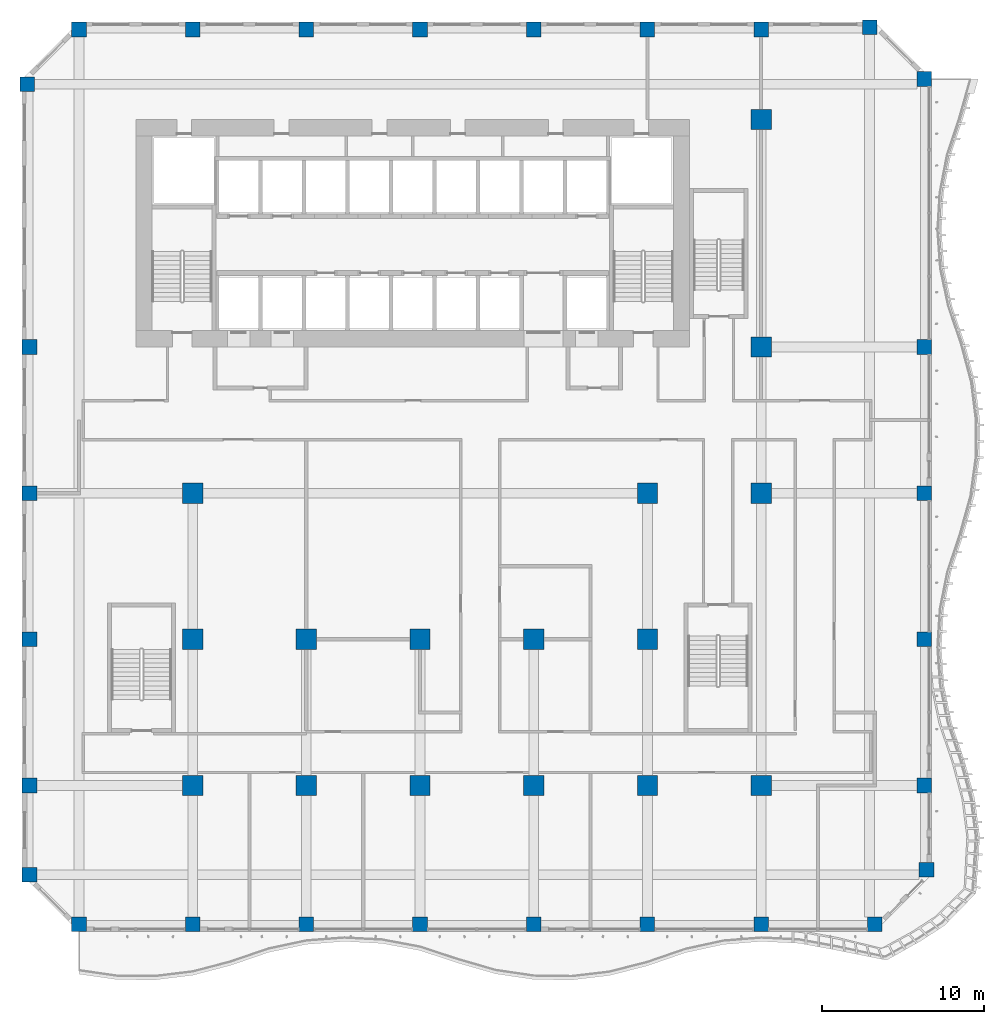
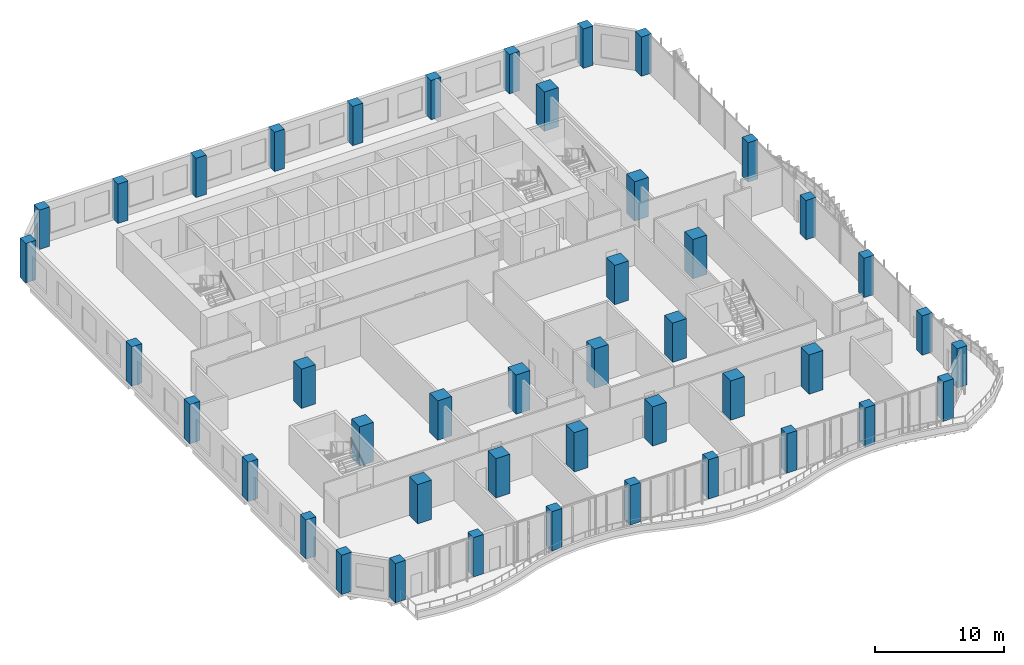
# One storey, part 1 of 29: 44 columns.
"""IFC4 building model written with IfcOpenShell, lengths in metres."""

from ifc_helpers import new_model, si_unit, direction, frame, origin, origin_2d, place, context, subcontext, project, spatial, rectangle, extrude, source, transform, mapped, material, material_profile, profile_set, type_object, element, save


model = new_model("IFC4")

# Units and contexts
model_context = context("Model", 3, precision=1e-05, world=origin(), true_north=direction((0.0, 1.0)))
body_context = subcontext(model_context, "Body", "Model", "MODEL_VIEW")
ifc_project = project(units=[si_unit("LENGTHUNIT", "METRE"), si_unit("AREAUNIT", "SQUARE_METRE"), si_unit("VOLUMEUNIT", "CUBIC_METRE"), si_unit("PLANEANGLEUNIT", "RADIAN"), si_unit("MASSUNIT", "GRAM", prefix="KILO")], contexts=[model_context])

# Site, building, storey
site_placement = place(None, origin())
site = spatial("IfcSite", under=ifc_project, at=site_placement, CompositionType="ELEMENT")
building_placement = place(site_placement, origin())
building = spatial("IfcBuilding", under=site, at=building_placement, Name="Kilnfold Tower and Market Hall", CompositionType="ELEMENT")
storey_placement = place(building_placement, frame((0.0, 0.0, 79.199951171875)))
storey = spatial("IfcBuildingStorey", under=building, at=storey_placement, Name="L18", CompositionType="ELEMENT", Elevation=79.199951171875)

# Columns
ifc_material_1 = material(Name="Concrete C80", Category="concrete")
ifc_material_profile_1 = material_profile(ifc_material_1, rectangle(XDim=0.89990234375, YDim=0.89990234375, at=origin_2d()), Name="RC 900x900")
ifc_profile_set_1 = profile_set([ifc_material_profile_1], Name="Concrete C80")
column_type_1 = type_object("IfcColumnType", Name="COLUMN 900X900 C80", PredefinedType="COLUMN", material=ifc_profile_set_1)
shared_shape_1 = source(origin(), body_context, "Body", "SweptSolid", [
    extrude(rectangle(XDim=0.89990234375, YDim=0.89990234375, at=origin_2d()), origin(), (0.0, 0.0, 1.0), 3.719970703125),
])
for number, where, z_axis, x_axis, name in (
    (1, (-22.681884765625, 24.181884765625, 0.0), (0.0, 0.0, 1.0), (1.0, 0.0, 0.0), "Column C-B2-1H"),
    (2, (-22.550048828125, -24.5, 0.0), (0.0, 0.0, 1.0), (1.0, 0.0, 0.0), "Column C-B2-1B"),
    (3, (-22.550048828125, -19.0, 0.0), (0.0, 0.0, 1.0), (1.0, 0.0, 0.0), "Column C-B2-1C"),
    (4, (-22.550048828125, -10.0, 0.0), (0.0, 0.0, 1.0), (1.0, 0.0, 0.0), "Column C-B2-1D"),
    (5, (-22.550048828125, -1.0, 0.0), (0.0, 0.0, 1.0), (1.0, 0.0, 0.0), "Column C-B2-1E"),
    (6, (-22.550048828125, 8.0, 0.0), (0.0, 0.0, 1.0), (1.0, 0.0, 0.0), "Column C-B2-1F"),
    (7, (-19.5, -27.550048828125, 0.0), (0.0, 0.0, 1.0), (1.0, 0.0, 0.0), "Column C-B2-2A"),
    (8, (-19.5, 27.550048828125, 0.0), (0.0, 0.0, 1.0), (1.0, 0.0, 0.0), "Column C-B2-2I"),
    (9, (-12.5, -27.550048828125, 0.0), (0.0, 0.0, 1.0), (1.0, 0.0, 0.0), "Column C-B2-3A"),
    (10, (-12.5, 27.550048828125, 0.0), (0.0, 0.0, 1.0), (1.0, 0.0, 0.0), "Column C-B2-3I"),
    (11, (-5.5, -27.550048828125, 0.0), (0.0, 0.0, 1.0), (1.0, 0.0, 0.0), "Column C-B2-4A"),
    (12, (-5.5, 27.550048828125, 0.0), (0.0, 0.0, 1.0), (1.0, 0.0, 0.0), "Column C-B2-4I"),
    (13, (1.5, -27.550048828125, 0.0), (0.0, 0.0, 1.0), (1.0, 0.0, 0.0), "Column C-B2-5A"),
    (14, (1.5, 27.550048828125, 0.0), (0.0, 0.0, 1.0), (1.0, 0.0, 0.0), "Column C-B2-5I"),
    (15, (8.5, -27.550048828125, 0.0), (0.0, 0.0, 1.0), (1.0, 0.0, 0.0), "Column C-B2-6A"),
    (16, (8.5, 27.550048828125, 0.0), (0.0, 0.0, 1.0), (1.0, 0.0, 0.0), "Column C-B2-6I"),
    (17, (15.5, -27.550048828125, 0.0), (0.0, 0.0, 1.0), (1.0, 0.0, 0.0), "Column C-B2-7A"),
    (18, (15.5, 27.550048828125, 0.0), (0.0, 0.0, 1.0), (1.0, 0.0, 0.0), "Column C-B2-7I"),
    (19, (22.5, -27.550048828125, 0.0), (0.0, 0.0, 1.0), (1.0, 0.0, 0.0), "Column C-B2-8A"),
    (20, (22.5, 27.550048828125, 0.0), (0.0, 0.0, 1.0), (1.0, 0.0, 0.0), "Column C-B2-8I"),
    (21, (29.181884765625, 27.681884765625, 0.0), (0.0, 0.0, 1.0), (1.0, 0.0, 0.0), "Column C-B2-9I"),
    (22, (29.5, -27.550048828125, 0.0), (0.0, 0.0, 1.0), (1.0, 0.0, 0.0), "Column C-B2-9A"),
    (23, (32.550048828125, -19.0, 0.0), (0.0, 0.0, 1.0), (1.0, 0.0, 0.0), "Column C-B2-10C"),
    (24, (32.550048828125, -10.0, 0.0), (0.0, 0.0, 1.0), (1.0, 0.0, 0.0), "Column C-B2-10D"),
    (25, (32.550048828125, -1.0, 0.0), (0.0, 0.0, 1.0), (1.0, 0.0, 0.0), "Column C-B2-10E"),
    (26, (32.550048828125, 8.0, 0.0), (0.0, 0.0, 1.0), (1.0, 0.0, 0.0), "Column C-B2-10F"),
    (27, (32.550048828125, 24.5, 0.0), (0.0, 0.0, 1.0), (1.0, 0.0, 0.0), "Column C-B2-10H"),
    (28, (32.681884765625, -24.181884765625, 0.0), (0.0, 0.0, 1.0), (1.0, 0.0, 0.0), "Column C-B2-10B"),
):
    element("IfcColumn", number, at=place(storey_placement, frame(where, z_axis=z_axis, x_axis=x_axis)), inside=storey, type_object=column_type_1, Name=name, PredefinedType="COLUMN", context=body_context, shape_type="MappedRepresentation", body=[
        mapped(shared_shape_1, transform((0.0, 0.0, 0.0))),
    ])
ifc_material_2 = material(Name="Concrete C80", Category="concrete")
ifc_material_profile_2 = material_profile(ifc_material_2, rectangle(XDim=1.25, YDim=1.25, at=origin_2d()), Name="RC 1250x1250")
ifc_profile_set_2 = profile_set([ifc_material_profile_2], Name="Concrete C80")
column_type_2 = type_object("IfcColumnType", Name="COLUMN 1250X1250 C80", PredefinedType="COLUMN", material=ifc_profile_set_2)
shared_shape_2 = source(origin(), body_context, "Body", "SweptSolid", [
    extrude(rectangle(XDim=1.25, YDim=1.25, at=origin_2d()), origin(), (0.0, 0.0, 1.0), 3.719970703125),
])
for number, where, z_axis, x_axis, name in (
    (29, (-12.5, -19.0, 0.0), (0.0, 0.0, 1.0), (1.0, 0.0, 0.0), "Column C-B2-3C"),
    (30, (-12.5, -10.0, 0.0), (0.0, 0.0, 1.0), (1.0, 0.0, 0.0), "Column C-B2-3D"),
    (31, (-12.5, -1.0, 0.0), (0.0, 0.0, 1.0), (1.0, 0.0, 0.0), "Column C-B2-3E"),
    (32, (-5.5, -19.0, 0.0), (0.0, 0.0, 1.0), (1.0, 0.0, 0.0), "Column C-B2-4C"),
    (33, (-5.5, -10.0, 0.0), (0.0, 0.0, 1.0), (1.0, 0.0, 0.0), "Column C-B2-4D"),
    (34, (1.5, -19.0, 0.0), (0.0, 0.0, 1.0), (1.0, 0.0, 0.0), "Column C-B2-5C"),
    (35, (1.5, -10.0, 0.0), (0.0, 0.0, 1.0), (1.0, 0.0, 0.0), "Column C-B2-5D"),
    (36, (8.5, -19.0, 0.0), (0.0, 0.0, 1.0), (1.0, 0.0, 0.0), "Column C-B2-6C"),
    (37, (8.5, -10.0, 0.0), (0.0, 0.0, 1.0), (1.0, 0.0, 0.0), "Column C-B2-6D"),
    (38, (15.5, -19.0, 0.0), (0.0, 0.0, 1.0), (1.0, 0.0, 0.0), "Column C-B2-7C"),
    (39, (15.5, -10.0, 0.0), (0.0, 0.0, 1.0), (1.0, 0.0, 0.0), "Column C-B2-7D"),
    (40, (15.5, -1.0, 0.0), (0.0, 0.0, 1.0), (1.0, 0.0, 0.0), "Column C-B2-7E"),
    (41, (22.5, -19.0, 0.0), (0.0, 0.0, 1.0), (1.0, 0.0, 0.0), "Column C-B2-8C"),
    (42, (22.5, -1.0, 0.0), (0.0, 0.0, 1.0), (1.0, 0.0, 0.0), "Column C-B2-8E"),
    (43, (22.5, 8.0, 0.0), (0.0, 0.0, 1.0), (1.0, 0.0, 0.0), "Column C-B2-8F"),
    (44, (22.5, 22.0, 0.0), (0.0, 0.0, 1.0), (1.0, 0.0, 0.0), "Column C-B2-8G"),
):
    element("IfcColumn", number, at=place(storey_placement, frame(where, z_axis=z_axis, x_axis=x_axis)), inside=storey, type_object=column_type_2, Name=name, PredefinedType="COLUMN", context=body_context, shape_type="MappedRepresentation", body=[
        mapped(shared_shape_2, transform((0.0, 0.0, 0.0))),
    ])

save(model, "model.ifc")
